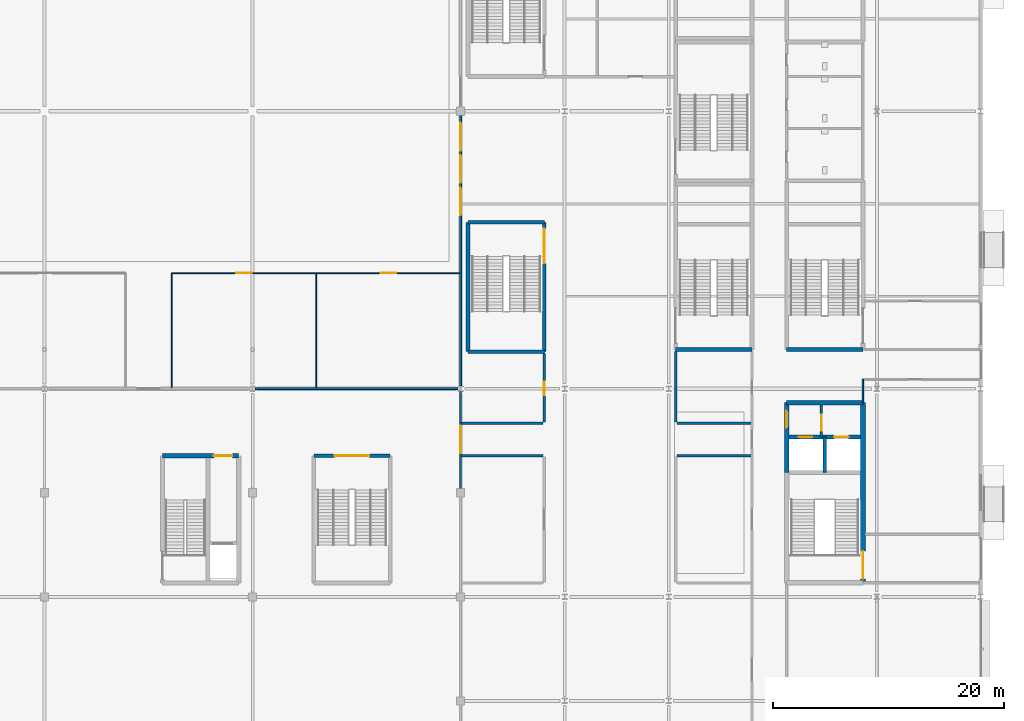
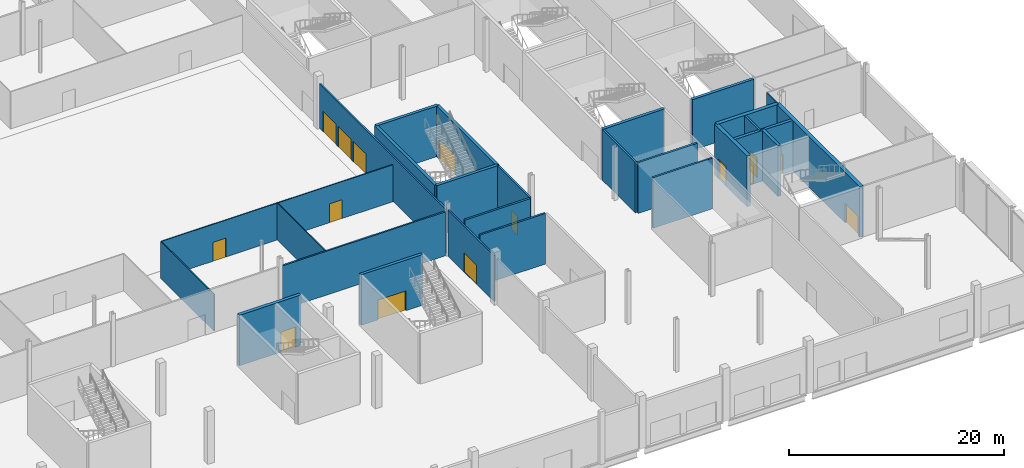
# One storey, part 39 of 84: 28 walls, 15 doors, 15 openings.
"""IFC4 building model written with IfcOpenShell, lengths in metres."""

from ifc_helpers import new_model, si_unit, direction, frame, frame_2d, origin, place, context, subcontext, project, spatial, rectangle, extrude, material, layer, layer_set, type_object, element, fill, save


model = new_model("IFC4")

# Units and contexts
model_context = context("Model", 3, precision=1e-05, world=origin(), true_north=direction((0.0, 1.0)))
body_context = subcontext(model_context, "Body", "Model", "MODEL_VIEW")
ifc_project = project(units=[si_unit("LENGTHUNIT", "METRE"), si_unit("AREAUNIT", "SQUARE_METRE"), si_unit("VOLUMEUNIT", "CUBIC_METRE"), si_unit("PLANEANGLEUNIT", "RADIAN"), si_unit("MASSUNIT", "GRAM", prefix="KILO")], contexts=[model_context])

# Site, building, storey
site_placement = place(None, origin())
site = spatial("IfcSite", under=ifc_project, at=site_placement, CompositionType="ELEMENT")
building_placement = place(site_placement, origin())
building = spatial("IfcBuilding", under=site, at=building_placement, Name="Kisiwana Market Hall", CompositionType="ELEMENT")
storey_placement = place(building_placement, origin())
storey = spatial("IfcBuildingStorey", under=building, at=storey_placement, Name="L00", CompositionType="ELEMENT", Elevation=0.0)

# Walls
ifc_material_1 = material(Name="Steel S275", Category="steel")
ifc_layer_1 = layer(ifc_material_1, 0.010009765625, Name="Food-grade steel inner skin")
ifc_material_2 = material(Name="PIR insulation")
ifc_layer_2 = layer(ifc_material_2, 0.199951171875, Name="High-density PIR thermal core")
ifc_material_3 = material(Name="Steel S275", Category="steel")
ifc_layer_3 = layer(ifc_material_3, 0.010009765625, Name="Food-grade steel outer skin")
ifc_layer_set_1 = layer_set([ifc_layer_1, ifc_layer_2, ifc_layer_3], Name="WL-COLD-220")
wall_type_1 = type_object("IfcWallType", Name="WL-COLD-220", PredefinedType="PARTITIONING", material=ifc_layer_set_1)
wall_1_placement = place(storey_placement, frame((153.0849609375, 33.0, 0.0), z_axis=(0.0, 0.0, 1.0), x_axis=(1.0, 0.0, 0.0)))
element("IfcWall", 1, at=wall_1_placement, inside=storey, type_object=wall_type_1, Name="Interior partition W-0580", PredefinedType="PARTITIONING", context=body_context, shape_type="SweptSolid", body=[
    extrude(rectangle(XDim=7.044921875, YDim=0.219970703125, at=frame_2d((3.5224609375, 0.0))), origin(), (0.0, 0.0, 1.0), 5.75),
])
wall_2_placement = place(storey_placement, frame((171.699951171875, 33.0, 0.0), z_axis=(0.0, 0.0, 1.0), x_axis=(1.0, 0.0, 0.0)))
element("IfcWall", 2, at=wall_2_placement, inside=storey, type_object=wall_type_1, Name="Interior partition W-0581", PredefinedType="PARTITIONING", context=body_context, shape_type="SweptSolid", body=[
    extrude(rectangle(XDim=6.400146484375, YDim=0.219970703125, at=frame_2d((3.2001953125, 0.0))), origin(), (0.0, 0.0, 1.0), 5.75),
])

# Wall, opening, door
ifc_material_4 = material(Name="Masonry blockwork", Category="masonry")
ifc_layer_4 = layer(ifc_material_4, 0.199951171875, Name="Plastered fire compartment block wall")
ifc_layer_set_2 = layer_set([ifc_layer_4], Name="WL-COMP-200")
wall_type_2 = type_object("IfcWallType", Name="WL-COMP-200", PredefinedType="PARTITIONING", material=ifc_layer_set_2)
wall_3_placement = place(storey_placement, frame((184.199951171875, 31.820068359375, 0.0), z_axis=(0.0, 0.0, 1.0), x_axis=(0.0, 1.0, 0.0)))
wall_3 = element("IfcWall", 3, at=wall_3_placement, inside=storey, type_object=wall_type_2, Name="Core E2 firefighting lobby wall W-0531", PredefinedType="PARTITIONING", context=body_context, shape_type="SweptSolid", body=[
    extrude(rectangle(XDim=2.780029296875, YDim=0.199951171875, at=frame_2d((1.39013671875, 0.0))), origin(), (0.0, 0.0, 1.0), 5.75),
])
opening_1_placement = place(wall_3_placement, frame((0.550048828125, 0.0, 0.0)))
opening_1 = element("IfcOpeningElement", 4, at=opening_1_placement, cuts=wall_3, Name="Opening DR-L00-009", PredefinedType="OPENING", context=body_context, shape_type="SweptSolid", body=[
    extrude(rectangle(XDim=1.39990234375, YDim=2.25, at=frame_2d((0.699951171875, 1.125))), frame((0.0, 0.11181640625, 0.0), z_axis=(0.0, -1.0, 0.0), x_axis=(1.0, 0.0, 0.0)), (0.0, 0.0, 1.0), 0.223876953125),
])
ifc_material_5 = material(Name="Steel S275", Category="steel")
door_type_1 = type_object("IfcDoorType", Name="DR-FFLOB-FD120-1400", OperationType="DOUBLE_DOOR_SINGLE_SWING", PredefinedType="DOOR", material=ifc_material_5)
door_1_placement = place(opening_1_placement, origin())
door_1 = element("IfcDoor", 5, at=door_1_placement, inside=storey, type_object=door_type_1, Name="Firefighting Lift Lobby E2 Door (L00)", OperationType="DOUBLE_DOOR_SINGLE_SWING", OverallHeight=2.25, OverallWidth=1.39990234375, PredefinedType="DOOR", context=body_context, shape_type="SweptSolid", body=[
    extrude(rectangle(XDim=1.39990234375, YDim=2.25, at=frame_2d((0.699951171875, 1.125))), frame((0.0, 0.02490234375, 0.0), z_axis=(0.0, -1.0, 0.0), x_axis=(1.0, 0.0, 0.0)), (0.0, 0.0, 1.0), 0.050048828125),
])
fill(opening_1, door_1)

# Walls
wall_4_placement = place(storey_placement, frame((153.0849609375, 30.199951171875, 0.0), z_axis=(0.0, 0.0, 1.0), x_axis=(1.0, 0.0, 0.0)))
element("IfcWall", 6, at=wall_4_placement, inside=storey, type_object=wall_type_2, Name="Interior partition W-0578", PredefinedType="PARTITIONING", context=body_context, shape_type="SweptSolid", body=[
    extrude(rectangle(XDim=7.044921875, YDim=0.199951171875, at=frame_2d((3.5224609375, 0.0))), origin(), (0.0, 0.0, 1.0), 5.75),
])
wall_5_placement = place(storey_placement, frame((171.699951171875, 30.199951171875, 0.0), z_axis=(0.0, 0.0, 1.0), x_axis=(1.0, 0.0, 0.0)))
element("IfcWall", 7, at=wall_5_placement, inside=storey, type_object=wall_type_2, Name="Interior partition W-0579", PredefinedType="PARTITIONING", context=body_context, shape_type="SweptSolid", body=[
    extrude(rectangle(XDim=6.400146484375, YDim=0.199951171875, at=frame_2d((3.2001953125, 0.0))), origin(), (0.0, 0.0, 1.0), 5.75),
])

# Wall, opening, door
wall_6_placement = place(storey_placement, frame((160.22998046875, 33.10009765625, 0.0), z_axis=(0.0, 0.0, 1.0), x_axis=(0.0, 1.0, 0.0)))
wall_6 = element("IfcWall", 8, at=wall_6_placement, inside=storey, type_object=wall_type_2, Name="Interior partition W-0659", PredefinedType="PARTITIONING", context=body_context, shape_type="SweptSolid", body=[
    extrude(rectangle(XDim=5.93994140625, YDim=0.199951171875, at=frame_2d((2.969970703125, 0.0))), origin(), (0.0, 0.0, 1.0), 5.75),
])
opening_2_placement = place(wall_6_placement, frame((2.35009765625, 0.0, 0.0)))
opening_2 = element("IfcOpeningElement", 9, at=opening_2_placement, cuts=wall_6, Name="Opening DR-L00-111", PredefinedType="OPENING", context=body_context, shape_type="SweptSolid", body=[
    extrude(rectangle(XDim=1.14990234375, YDim=2.14990234375, at=frame_2d((0.574951171875, 1.074951171875))), frame((0.0, 0.11181640625, 0.0), z_axis=(0.0, -1.0, 0.0), x_axis=(1.0, 0.0, 0.0)), (0.0, 0.0, 1.0), 0.223876953125),
])
ifc_material_6 = material(Name="Aluminium alloy 6063-T6", Category="aluminium")
door_type_2 = type_object("IfcDoorType", Name="DR-MEET-1150", OperationType="NOTDEFINED", PredefinedType="DOOR", material=ifc_material_6)
door_2_placement = place(opening_2_placement, origin())
door_2 = element("IfcDoor", 10, at=door_2_placement, inside=storey, type_object=door_type_2, Name="L00 E Cold-Chain Marshalling Hall Door", OperationType="SINGLE_SWING_LEFT", OverallHeight=2.14990234375, OverallWidth=1.14990234375, PredefinedType="DOOR", context=body_context, shape_type="SweptSolid", body=[
    extrude(rectangle(XDim=1.14990234375, YDim=2.14990234375, at=frame_2d((0.574951171875, 1.074951171875))), frame((0.0, 0.02490234375, 0.0), z_axis=(0.0, -1.0, 0.0), x_axis=(1.0, 0.0, 0.0)), (0.0, 0.0, 1.0), 0.050048828125),
])
fill(opening_2, door_2)

# Walls
wall_7_placement = place(storey_placement, frame((171.60009765625, 33.10009765625, 0.0), z_axis=(0.0, 0.0, 1.0), x_axis=(0.0, 1.0, 0.0)))
element("IfcWall", 11, at=wall_7_placement, inside=storey, type_object=wall_type_2, Name="Interior partition W-0661", PredefinedType="PARTITIONING", context=body_context, shape_type="SweptSolid", body=[
    extrude(rectangle(XDim=6.139892578125, YDim=0.199951171875, at=frame_2d((3.06982421875, 0.0))), origin(), (0.0, 0.0, 1.0), 5.75),
])
ifc_material_7 = material(Name="Concrete C40/50", Category="concrete")
ifc_layer_5 = layer(ifc_material_7, 0.320068359375, Name="Reinforced concrete shaft wall")
ifc_layer_set_3 = layer_set([ifc_layer_5], Name="WL-CORE-320")
wall_type_3 = type_object("IfcWallType", Name="WL-CORE-320", PredefinedType="SHEAR", material=ifc_layer_set_3)
wall_8_placement = place(storey_placement, frame((184.5, 28.760009765625, 0.0), z_axis=(0.0, 0.0, 1.0), x_axis=(0.0, 1.0, 0.0)))
element("IfcWall", 12, at=wall_8_placement, inside=storey, type_object=wall_type_3, Name="Core E2 inter-shaft shear wall W-0359", PredefinedType="SHEAR", context=body_context, shape_type="SweptSolid", body=[
    extrude(rectangle(XDim=3.06005859375, YDim=0.320068359375, at=frame_2d((1.530029296875, 0.0))), origin(), (0.0, 0.0, 1.0), 5.75),
])

# Wall, opening, door
wall_9_placement = place(storey_placement, frame((181.39990234375, 31.820068359375, 0.0), z_axis=(0.0, 0.0, 1.0), x_axis=(1.0, 0.0, 0.0)))
wall_9 = element("IfcWall", 13, at=wall_9_placement, inside=storey, type_object=wall_type_3, Name="Core E2 west lift front wall W-0360", PredefinedType="SHEAR", context=body_context, shape_type="SweptSolid", body=[
    extrude(rectangle(XDim=3.10009765625, YDim=0.320068359375, at=frame_2d((1.550048828125, 0.0))), origin(), (0.0, 0.0, 1.0), 5.75),
])
opening_3_placement = place(wall_9_placement, frame((0.85009765625, 0.0, 0.0)))
opening_3 = element("IfcOpeningElement", 14, at=opening_3_placement, cuts=wall_9, Name="Opening LD-L00-005", PredefinedType="OPENING", context=body_context, shape_type="SweptSolid", body=[
    extrude(rectangle(XDim=1.14990234375, YDim=2.199951171875, at=frame_2d((0.574951171875, 1.10009765625))), frame((0.0, 0.171875, 0.0), z_axis=(0.0, -1.0, 0.0), x_axis=(1.0, 0.0, 0.0)), (0.0, 0.0, 1.0), 0.343994140625),
])
ifc_material_8 = material(Name="Steel S275", Category="steel")
door_type_3 = type_object("IfcDoorType", Name="DR-LIFT-PAX-1150", OperationType="DOUBLE_DOOR_SLIDING", PredefinedType="DOOR", material=ifc_material_8)
door_3_placement = place(opening_3_placement, origin())
door_3 = element("IfcDoor", 15, at=door_3_placement, inside=storey, type_object=door_type_3, Name="Lift Landing Door LP-03 (L00)", OperationType="DOUBLE_DOOR_SLIDING", OverallHeight=2.199951171875, OverallWidth=1.14990234375, PredefinedType="DOOR", context=body_context, shape_type="SweptSolid", body=[
    extrude(rectangle(XDim=1.14990234375, YDim=2.199951171875, at=frame_2d((0.574951171875, 1.10009765625))), frame((0.0, 0.02490234375, 0.0), z_axis=(0.0, -1.0, 0.0), x_axis=(1.0, 0.0, 0.0)), (0.0, 0.0, 1.0), 0.050048828125),
])
fill(opening_3, door_3)

wall_10_placement = place(storey_placement, frame((184.5, 31.820068359375, 0.0), z_axis=(0.0, 0.0, 1.0), x_axis=(1.0, 0.0, 0.0)))
wall_10 = element("IfcWall", 16, at=wall_10_placement, inside=storey, type_object=wall_type_3, Name="Core E2 east lift front wall W-0361", PredefinedType="SHEAR", context=body_context, shape_type="SweptSolid", body=[
    extrude(rectangle(XDim=3.10009765625, YDim=0.320068359375, at=frame_2d((1.550048828125, 0.0))), origin(), (0.0, 0.0, 1.0), 5.75),
])
opening_4_placement = place(wall_10_placement, frame((0.800048828125, 0.0, 0.0)))
opening_4 = element("IfcOpeningElement", 17, at=opening_4_placement, cuts=wall_10, Name="Opening LD-L00-006", PredefinedType="OPENING", context=body_context, shape_type="SweptSolid", body=[
    extrude(rectangle(XDim=1.25, YDim=2.25, at=frame_2d((0.625, 1.125))), frame((0.0, 0.171875, 0.0), z_axis=(0.0, -1.0, 0.0), x_axis=(1.0, 0.0, 0.0)), (0.0, 0.0, 1.0), 0.343994140625),
])
ifc_material_9 = material(Name="Steel S275", Category="steel")
door_type_4 = type_object("IfcDoorType", Name="DR-LIFT-FFL-1250", OperationType="DOUBLE_DOOR_SLIDING", PredefinedType="DOOR", material=ifc_material_9)
door_4_placement = place(opening_4_placement, origin())
door_4 = element("IfcDoor", 18, at=door_4_placement, inside=storey, type_object=door_type_4, Name="Lift Landing Door FFL-03 (L00)", OperationType="DOUBLE_DOOR_SLIDING", OverallHeight=2.25, OverallWidth=1.25, PredefinedType="DOOR", context=body_context, shape_type="SweptSolid", body=[
    extrude(rectangle(XDim=1.25, YDim=2.25, at=frame_2d((0.625, 1.125))), frame((0.0, 0.02490234375, 0.0), z_axis=(0.0, -1.0, 0.0), x_axis=(1.0, 0.0, 0.0)), (0.0, 0.0, 1.0), 0.050048828125),
])
fill(opening_4, door_4)

# Walls
wall_11_placement = place(storey_placement, frame((181.199951171875, 39.39990234375, 0.0), z_axis=(0.0, 0.0, 1.0), x_axis=(1.0, 0.0, 0.0)))
element("IfcWall", 19, at=wall_11_placement, inside=storey, type_object=wall_type_3, Name="Core E3 south shear wall W-0403", PredefinedType="SHEAR", context=body_context, shape_type="SweptSolid", body=[
    extrude(rectangle(XDim=6.60009765625, YDim=0.320068359375, at=frame_2d((3.300048828125, 0.0))), origin(), (0.0, 0.0, 1.0), 5.75),
])
wall_12_placement = place(storey_placement, frame((171.60009765625, 39.39990234375, 0.0), z_axis=(0.0, 0.0, 1.0), x_axis=(1.0, 0.0, 0.0)))
element("IfcWall", 20, at=wall_12_placement, inside=storey, type_object=wall_type_3, Name="Core E7 south shear wall W-0418", PredefinedType="SHEAR", context=body_context, shape_type="SweptSolid", body=[
    extrude(rectangle(XDim=6.599853515625, YDim=0.320068359375, at=frame_2d((3.2998046875, 0.0))), origin(), (0.0, 0.0, 1.0), 5.75),
])
for number, where, z_axis, x_axis, name in (
    (21, (153.6298828125, 39.199951171875, 0.0), (0.0, 0.0, 1.0), (1.0, 0.0, 0.0), "Core E9 south shear wall W-0437"),
    (22, (153.6298828125, 50.39990234375, 0.0), (0.0, 0.0, 1.0), (1.0, 0.0, 0.0), "Core E9 north shear wall W-0438"),
):
    element("IfcWall", number, at=place(storey_placement, frame(where, z_axis=z_axis, x_axis=x_axis)), inside=storey, type_object=wall_type_3, Name=name, PredefinedType="SHEAR", context=body_context, shape_type="SweptSolid", body=[
        extrude(rectangle(XDim=6.60009765625, YDim=0.320068359375, at=frame_2d((3.300048828125, 0.0))), origin(), (0.0, 0.0, 1.0), 5.75),
    ])
wall_13_placement = place(storey_placement, frame((153.6298828125, 39.199951171875, 0.0), z_axis=(0.0, 0.0, 1.0), x_axis=(0.0, 1.0, 0.0)))
element("IfcWall", 23, at=wall_13_placement, inside=storey, type_object=wall_type_3, Name="Core E9 outer shear wall W-0439", PredefinedType="SHEAR", context=body_context, shape_type="SweptSolid", body=[
    extrude(rectangle(XDim=11.199951171875, YDim=0.320068359375, at=frame_2d((5.60009765625, 0.0))), origin(), (0.0, 0.0, 1.0), 5.75),
])

# Wall, opening, door
wall_14_placement = place(storey_placement, frame((160.22998046875, 39.199951171875, 0.0), z_axis=(0.0, 0.0, 1.0), x_axis=(0.0, 1.0, 0.0)))
wall_14 = element("IfcWall", 24, at=wall_14_placement, inside=storey, type_object=wall_type_3, Name="Core E9 corridor shear wall W-0440", PredefinedType="SHEAR", context=body_context, shape_type="SweptSolid", body=[
    extrude(rectangle(XDim=11.199951171875, YDim=0.320068359375, at=frame_2d((5.60009765625, 0.0))), origin(), (0.0, 0.0, 1.0), 5.75),
])
opening_5_placement = place(wall_14_placement, frame((7.64990234375, 0.0, 0.0)))
opening_5 = element("IfcOpeningElement", 25, at=opening_5_placement, cuts=wall_14, Name="Opening DR-L00-028", PredefinedType="OPENING", context=body_context, shape_type="SweptSolid", body=[
    extrude(rectangle(XDim=3.0, YDim=2.25, at=frame_2d((1.5, 1.125))), frame((0.0, 0.171875, 0.0), z_axis=(0.0, -1.0, 0.0), x_axis=(1.0, 0.0, 0.0)), (0.0, 0.0, 1.0), 0.343994140625),
])
ifc_material_10 = material(Name="Steel S275", Category="steel")
door_type_5 = type_object("IfcDoorType", Name="DR-STAIR-FD120-3000", OperationType="DOUBLE_DOOR_SINGLE_SWING", PredefinedType="DOOR", material=ifc_material_10)
door_5_placement = place(opening_5_placement, frame((3.0, 0.0, 0.0), z_axis=(0.0, 0.0, 1.0), x_axis=(-1.0, 0.0, 0.0)))
door_5 = element("IfcDoor", 26, at=door_5_placement, inside=storey, type_object=door_type_5, Name="Escape Stair E9 Fire Door (L00)", OperationType="DOUBLE_DOOR_SINGLE_SWING", OverallHeight=2.25, OverallWidth=3.0, PredefinedType="DOOR", context=body_context, shape_type="SweptSolid", body=[
    extrude(rectangle(XDim=3.0, YDim=2.25, at=frame_2d((1.5, 1.125))), frame((0.0, 0.02490234375, 0.0), z_axis=(0.0, -1.0, 0.0), x_axis=(1.0, 0.0, 0.0)), (0.0, 0.0, 1.0), 0.050048828125),
])
fill(opening_5, door_5)

wall_15_placement = place(storey_placement, frame((140.300048828125, 30.199951171875, 0.0), z_axis=(0.0, 0.0, 1.0), x_axis=(1.0, 0.0, 0.0)))
wall_15 = element("IfcWall", 27, at=wall_15_placement, inside=storey, type_object=wall_type_3, Name="Core S6 corridor shear wall W-0482", PredefinedType="SHEAR", context=body_context, shape_type="SweptSolid", body=[
    extrude(rectangle(XDim=6.599853515625, YDim=0.320068359375, at=frame_2d((3.2998046875, 0.0))), origin(), (0.0, 0.0, 1.0), 5.75),
])
opening_6_placement = place(wall_15_placement, frame((1.800048828125, 0.0, 0.0)))
opening_6 = element("IfcOpeningElement", 28, at=opening_6_placement, cuts=wall_15, Name="Opening DR-L00-039", PredefinedType="OPENING", context=body_context, shape_type="SweptSolid", body=[
    extrude(rectangle(XDim=3.0, YDim=2.25, at=frame_2d((1.5, 1.125))), frame((0.0, 0.171875, 0.0), z_axis=(0.0, -1.0, 0.0), x_axis=(1.0, 0.0, 0.0)), (0.0, 0.0, 1.0), 0.343994140625),
])
door_6_placement = place(opening_6_placement, origin())
door_6 = element("IfcDoor", 29, at=door_6_placement, inside=storey, type_object=door_type_5, Name="Escape Stair S6 Fire Door (L00)", OperationType="DOUBLE_DOOR_SINGLE_SWING", OverallHeight=2.25, OverallWidth=3.0, PredefinedType="DOOR", context=body_context, shape_type="SweptSolid", body=[
    extrude(rectangle(XDim=3.0, YDim=2.25, at=frame_2d((1.5, 1.125))), frame((0.0, 0.02490234375, 0.0), z_axis=(0.0, -1.0, 0.0), x_axis=(1.0, 0.0, 0.0)), (0.0, 0.0, 1.0), 0.050048828125),
])
fill(opening_6, door_6)

ifc_material_11 = material(Name="Concrete C40/50", Category="concrete")
ifc_layer_6 = layer(ifc_material_11, 0.360107421875, Name="Reinforced concrete core wall")
ifc_layer_set_4 = layer_set([ifc_layer_6], Name="WL-CORE-360")
wall_type_4 = type_object("IfcWallType", Name="WL-CORE-360", PredefinedType="SHEAR", material=ifc_layer_set_4)
wall_16_placement = place(storey_placement, frame((127.199951171875, 30.199951171875, 0.0), z_axis=(0.0, 0.0, 1.0), x_axis=(1.0, 0.0, 0.0)))
wall_16 = element("IfcWall", 30, at=wall_16_placement, inside=storey, type_object=wall_type_4, Name="Core S2 north wall W-0377", PredefinedType="SHEAR", context=body_context, shape_type="SweptSolid", body=[
    extrude(rectangle(XDim=6.60009765625, YDim=0.360107421875, at=frame_2d((3.300048828125, 0.0))), origin(), (0.0, 0.0, 1.0), 5.75),
])
opening_7_placement = place(wall_16_placement, frame((4.449951171875, 0.0, 0.0)))
opening_7 = element("IfcOpeningElement", 31, at=opening_7_placement, cuts=wall_16, Name="Opening DR-L00-015", PredefinedType="OPENING", context=body_context, shape_type="SweptSolid", body=[
    extrude(rectangle(XDim=1.60009765625, YDim=2.300048828125, at=frame_2d((0.800048828125, 1.14990234375))), frame((0.0, 0.19189453125, 0.0), z_axis=(0.0, -1.0, 0.0), x_axis=(1.0, 0.0, 0.0)), (0.0, 0.0, 1.0), 0.384033203125),
])
ifc_material_12 = material(Name="Steel S275", Category="steel")
door_type_6 = type_object("IfcDoorType", Name="DR-PLANT-FD120-1600", OperationType="DOUBLE_DOOR_SINGLE_SWING", PredefinedType="DOOR", material=ifc_material_12)
door_7_placement = place(opening_7_placement, origin())
door_7 = element("IfcDoor", 32, at=door_7_placement, inside=storey, type_object=door_type_6, Name="Goods Lift Lobby S2 Door (L00)", OperationType="DOUBLE_DOOR_SINGLE_SWING", OverallHeight=2.300048828125, OverallWidth=1.60009765625, PredefinedType="DOOR", context=body_context, shape_type="SweptSolid", body=[
    extrude(rectangle(XDim=1.60009765625, YDim=2.300048828125, at=frame_2d((0.800048828125, 1.14990234375))), frame((0.0, 0.02490234375, 0.0), z_axis=(0.0, -1.0, 0.0), x_axis=(1.0, 0.0, 0.0)), (0.0, 0.0, 1.0), 0.050048828125),
])
fill(opening_7, door_7)

# Wall
ifc_material_13 = material(Name="Concrete C40/50", Category="concrete")
ifc_layer_7 = layer(ifc_material_13, 0.39990234375, Name="Reinforced concrete core wall")
ifc_layer_set_5 = layer_set([ifc_layer_7], Name="WL-CORE-400")
wall_type_5 = type_object("IfcWallType", Name="WL-CORE-400", PredefinedType="SHEAR", material=ifc_layer_set_5)
wall_17_placement = place(storey_placement, frame((181.199951171875, 34.800048828125, 0.0), z_axis=(0.0, 0.0, 1.0), x_axis=(1.0, 0.0, 0.0)))
element("IfcWall", 33, at=wall_17_placement, inside=storey, type_object=wall_type_5, Name="Core E2 north shear wall W-0354", PredefinedType="SHEAR", context=body_context, shape_type="SweptSolid", body=[
    extrude(rectangle(XDim=6.60009765625, YDim=0.39990234375, at=frame_2d((3.300048828125, 0.0))), origin(), (0.0, 0.0, 1.0), 5.75),
])

# Wall, opening, door
wall_18_placement = place(storey_placement, frame((187.800048828125, 19.199951171875, 0.0), z_axis=(0.0, 0.0, 1.0), x_axis=(0.0, 1.0, 0.0)))
wall_18 = element("IfcWall", 34, at=wall_18_placement, inside=storey, type_object=wall_type_5, Name="Core E2 outer shear wall W-0355", PredefinedType="SHEAR", context=body_context, shape_type="SweptSolid", body=[
    extrude(rectangle(XDim=15.60009765625, YDim=0.39990234375, at=frame_2d((7.800048828125, 0.0))), origin(), (0.0, 0.0, 1.0), 5.75),
])
opening_8_placement = place(wall_18_placement, frame((0.35009765625, 0.0, 0.0)))
opening_8 = element("IfcOpeningElement", 35, at=opening_8_placement, cuts=wall_18, Name="Opening DR-L00-007", PredefinedType="OPENING", context=body_context, shape_type="SweptSolid", body=[
    extrude(rectangle(XDim=2.39990234375, YDim=2.25, at=frame_2d((1.199951171875, 1.125))), frame((0.0, 0.2119140625, 0.0), z_axis=(0.0, -1.0, 0.0), x_axis=(1.0, 0.0, 0.0)), (0.0, 0.0, 1.0), 0.423828125),
])
ifc_material_14 = material(Name="Steel S275", Category="steel")
door_type_7 = type_object("IfcDoorType", Name="DR-STAIR-FD120-2400", OperationType="DOUBLE_DOOR_SINGLE_SWING", PredefinedType="DOOR", material=ifc_material_14)
door_8_placement = place(opening_8_placement, frame((2.39990234375, 0.0, 0.0), z_axis=(0.0, 0.0, 1.0), x_axis=(-1.0, 0.0, 0.0)))
door_8 = element("IfcDoor", 36, at=door_8_placement, inside=storey, type_object=door_type_7, Name="Escape Stair E2 Fire Door (L00)", OperationType="DOUBLE_DOOR_SINGLE_SWING", OverallHeight=2.25, OverallWidth=2.39990234375, PredefinedType="DOOR", context=body_context, shape_type="SweptSolid", body=[
    extrude(rectangle(XDim=2.39990234375, YDim=2.25, at=frame_2d((1.199951171875, 1.125))), frame((0.0, 0.02490234375, 0.0), z_axis=(0.0, -1.0, 0.0), x_axis=(1.0, 0.0, 0.0)), (0.0, 0.0, 1.0), 0.050048828125),
])
fill(opening_8, door_8)

wall_19_placement = place(storey_placement, frame((181.199951171875, 28.760009765625, 0.0), z_axis=(0.0, 0.0, 1.0), x_axis=(0.0, 1.0, 0.0)))
wall_19 = element("IfcWall", 37, at=wall_19_placement, inside=storey, type_object=wall_type_5, Name="Core E2 lobby corridor shear wall W-0357", PredefinedType="SHEAR", context=body_context, shape_type="SweptSolid", body=[
    extrude(rectangle(XDim=6.0400390625, YDim=0.39990234375, at=frame_2d((3.02001953125, 0.0))), origin(), (0.0, 0.0, 1.0), 5.75),
])
opening_9_placement = place(wall_19_placement, frame((3.85009765625, 0.0, 0.0)))
opening_9 = element("IfcOpeningElement", 38, at=opening_9_placement, cuts=wall_19, Name="Opening DR-L00-008", PredefinedType="OPENING", context=body_context, shape_type="SweptSolid", body=[
    extrude(rectangle(XDim=1.5, YDim=2.199951171875, at=frame_2d((0.75, 1.10009765625))), frame((0.0, 0.2119140625, 0.0), z_axis=(0.0, -1.0, 0.0), x_axis=(1.0, 0.0, 0.0)), (0.0, 0.0, 1.0), 0.423828125),
])
ifc_material_15 = material(Name="Steel S275", Category="steel")
door_type_8 = type_object("IfcDoorType", Name="DR-CORR-FD60-1500", OperationType="DOUBLE_DOOR_SINGLE_SWING", PredefinedType="DOOR", material=ifc_material_15)
door_9_placement = place(opening_9_placement, origin())
door_9 = element("IfcDoor", 39, at=door_9_placement, inside=storey, type_object=door_type_8, Name="Passenger Lift Lobby E2 Smoke Door (L00)", OperationType="DOUBLE_DOOR_SINGLE_SWING", OverallHeight=2.199951171875, OverallWidth=1.5, PredefinedType="DOOR", context=body_context, shape_type="SweptSolid", body=[
    extrude(rectangle(XDim=1.5, YDim=2.199951171875, at=frame_2d((0.75, 1.10009765625))), frame((0.0, 0.02490234375, 0.0), z_axis=(0.0, -1.0, 0.0), x_axis=(1.0, 0.0, 0.0)), (0.0, 0.0, 1.0), 0.050048828125),
])
fill(opening_9, door_9)

ifc_material_16 = material(Name="Masonry blockwork", Category="masonry")
ifc_layer_8 = layer(ifc_material_16, 0.169921875, Name="Protected corridor partition")
ifc_layer_set_6 = layer_set([ifc_layer_8], Name="WL-CORR-170")
wall_type_6 = type_object("IfcWallType", Name="WL-CORR-170", PredefinedType="PARTITIONING", material=ifc_layer_set_6)
wall_20_placement = place(storey_placement, frame((153.0, 27.219970703125, 0.0), z_axis=(0.0, 0.0, 1.0), x_axis=(0.0, 1.0, 0.0)))
wall_20 = element("IfcWall", 40, at=wall_20_placement, inside=storey, type_object=wall_type_6, Name="Interior partition W-0591", PredefinedType="PARTITIONING", context=body_context, shape_type="SweptSolid", body=[
    extrude(rectangle(XDim=8.56005859375, YDim=0.169921875, at=frame_2d((4.280029296875, 0.0))), origin(), (0.0, 0.0, 1.0), 5.216796875),
])
opening_10_placement = place(wall_20_placement, frame((3.179931640625, 0.0, 0.0)))
opening_10 = element("IfcOpeningElement", 41, at=opening_10_placement, cuts=wall_20, Name="Opening DR-L00-073", PredefinedType="OPENING", context=body_context, shape_type="SweptSolid", body=[
    extrude(rectangle(XDim=2.39990234375, YDim=2.199951171875, at=frame_2d((1.199951171875, 1.10009765625))), frame((0.0, 0.096923828125, 0.0), z_axis=(0.0, -1.0, 0.0), x_axis=(1.0, 0.0, 0.0)), (0.0, 0.0, 1.0), 0.19384765625),
])
ifc_material_17 = material(Name="Steel S275", Category="steel")
door_type_9 = type_object("IfcDoorType", Name="DR-CORR-FD60-2400", OperationType="DOUBLE_DOOR_SINGLE_SWING", PredefinedType="DOOR", material=ifc_material_17)
door_10_placement = place(opening_10_placement, origin())
door_10 = element("IfcDoor", 42, at=door_10_placement, inside=storey, type_object=door_type_9, Name="L00 E South Spine Link Door", OperationType="DOUBLE_DOOR_SINGLE_SWING", OverallHeight=2.199951171875, OverallWidth=2.39990234375, PredefinedType="DOOR", context=body_context, shape_type="SweptSolid", body=[
    extrude(rectangle(XDim=2.39990234375, YDim=2.199951171875, at=frame_2d((1.199951171875, 1.10009765625))), frame((0.0, 0.02490234375, 0.0), z_axis=(0.0, -1.0, 0.0), x_axis=(1.0, 0.0, 0.0)), (0.0, 0.0, 1.0), 0.050048828125),
])
fill(opening_10, door_10)

# Wall, openings, doors
wall_21_placement = place(storey_placement, frame((153.0, 36.219970703125, 0.0), z_axis=(0.0, 0.0, 1.0), x_axis=(0.0, 1.0, 0.0)))
wall_21 = element("IfcWall", 43, at=wall_21_placement, inside=storey, type_object=wall_type_6, Name="Interior partition W-0592", PredefinedType="PARTITIONING", context=body_context, shape_type="SweptSolid", body=[
    extrude(rectangle(XDim=23.56005859375, YDim=0.169921875, at=frame_2d((11.780029296875, 0.0))), origin(), (0.0, 0.0, 1.0), 5.06640625),
])
opening_11_placement = place(wall_21_placement, frame((14.780029296875, 0.0, 0.0)))
opening_11 = element("IfcOpeningElement", 44, at=opening_11_placement, cuts=wall_21, Name="Opening DR-L00-074", PredefinedType="OPENING", context=body_context, shape_type="SweptSolid", body=[
    extrude(rectangle(XDim=2.39990234375, YDim=2.35009765625, at=frame_2d((1.199951171875, 1.175048828125))), frame((0.0, 0.096923828125, 0.0), z_axis=(0.0, -1.0, 0.0), x_axis=(1.0, 0.0, 0.0)), (0.0, 0.0, 1.0), 0.19384765625),
])
opening_12_placement = place(wall_21_placement, frame((17.580078125, 0.0, 0.0)))
opening_12 = element("IfcOpeningElement", 45, at=opening_12_placement, cuts=wall_21, Name="Opening DR-L00-075", PredefinedType="OPENING", context=body_context, shape_type="SweptSolid", body=[
    extrude(rectangle(XDim=2.39990234375, YDim=2.35009765625, at=frame_2d((1.199951171875, 1.175048828125))), frame((0.0, 0.096923828125, 0.0), z_axis=(0.0, -1.0, 0.0), x_axis=(1.0, 0.0, 0.0)), (0.0, 0.0, 1.0), 0.19384765625),
])
opening_13_placement = place(wall_21_placement, frame((20.3798828125, 0.0, 0.0)))
opening_13 = element("IfcOpeningElement", 46, at=opening_13_placement, cuts=wall_21, Name="Opening DR-L00-076", PredefinedType="OPENING", context=body_context, shape_type="SweptSolid", body=[
    extrude(rectangle(XDim=2.39990234375, YDim=2.35009765625, at=frame_2d((1.199951171875, 1.175048828125))), frame((0.0, 0.096923828125, 0.0), z_axis=(0.0, -1.0, 0.0), x_axis=(1.0, 0.0, 0.0)), (0.0, 0.0, 1.0), 0.19384765625),
])
ifc_material_18 = material(Name="Steel S275", Category="steel")
door_type_10 = type_object("IfcDoorType", Name="DR-HALL-2400", OperationType="DOUBLE_DOOR_SINGLE_SWING", PredefinedType="DOOR", material=ifc_material_18)
door_11_placement = place(opening_11_placement, origin())
door_11 = element("IfcDoor", 47, at=door_11_placement, inside=storey, type_object=door_type_10, Name="L00 E East Market Concourse Hall Door 1", OperationType="DOUBLE_DOOR_SINGLE_SWING", OverallHeight=2.35009765625, OverallWidth=2.39990234375, PredefinedType="DOOR", context=body_context, shape_type="SweptSolid", body=[
    extrude(rectangle(XDim=2.39990234375, YDim=2.35009765625, at=frame_2d((1.199951171875, 1.175048828125))), frame((0.0, 0.02490234375, 0.0), z_axis=(0.0, -1.0, 0.0), x_axis=(1.0, 0.0, 0.0)), (0.0, 0.0, 1.0), 0.050048828125),
])
fill(opening_11, door_11)
door_12_placement = place(opening_12_placement, origin())
door_12 = element("IfcDoor", 48, at=door_12_placement, inside=storey, type_object=door_type_10, Name="L00 E East Market Concourse Hall Door 2", OperationType="DOUBLE_DOOR_SINGLE_SWING", OverallHeight=2.35009765625, OverallWidth=2.39990234375, PredefinedType="DOOR", context=body_context, shape_type="SweptSolid", body=[
    extrude(rectangle(XDim=2.39990234375, YDim=2.35009765625, at=frame_2d((1.199951171875, 1.175048828125))), frame((0.0, 0.02490234375, 0.0), z_axis=(0.0, -1.0, 0.0), x_axis=(1.0, 0.0, 0.0)), (0.0, 0.0, 1.0), 0.050048828125),
])
fill(opening_12, door_12)
door_13_placement = place(opening_13_placement, origin())
door_13 = element("IfcDoor", 49, at=door_13_placement, inside=storey, type_object=door_type_10, Name="L00 E East Market Concourse Hall Door 3", OperationType="DOUBLE_DOOR_SINGLE_SWING", OverallHeight=2.35009765625, OverallWidth=2.39990234375, PredefinedType="DOOR", context=body_context, shape_type="SweptSolid", body=[
    extrude(rectangle(XDim=2.39990234375, YDim=2.35009765625, at=frame_2d((1.199951171875, 1.175048828125))), frame((0.0, 0.02490234375, 0.0), z_axis=(0.0, -1.0, 0.0), x_axis=(1.0, 0.0, 0.0)), (0.0, 0.0, 1.0), 0.050048828125),
])
fill(opening_13, door_13)

# Walls
wall_22_placement = place(storey_placement, frame((135.25, 36.0, 0.0), z_axis=(0.0, 0.0, 1.0), x_axis=(1.0, 0.0, 0.0)))
element("IfcWall", 50, at=wall_22_placement, inside=storey, type_object=wall_type_6, Name="Interior partition W-0639", PredefinedType="PARTITIONING", context=body_context, shape_type="SweptSolid", body=[
    extrude(rectangle(XDim=17.5, YDim=0.169921875, at=frame_2d((8.75, 0.0))), origin(), (0.0, 0.0, 1.0), 4.98779296875),
])
ifc_material_19 = material(Name="Gypsum plasterboard")
ifc_layer_9 = layer(ifc_material_19, 0.125, Name="Double gypsum board + acoustic stud")
ifc_layer_set_7 = layer_set([ifc_layer_9], Name="WL-OFF-125")
wall_type_7 = type_object("IfcWallType", Name="WL-OFF-125", PredefinedType="PARTITIONING", material=ifc_layer_set_7)
wall_23_placement = place(storey_placement, frame((187.800048828125, 34.800048828125, 0.0), z_axis=(0.0, 0.0, 1.0), x_axis=(0.0, 1.0, 0.0)))
element("IfcWall", 51, at=wall_23_placement, inside=storey, type_object=wall_type_7, Name="Interior partition W-0566", PredefinedType="PARTITIONING", context=body_context, shape_type="SweptSolid", body=[
    extrude(rectangle(XDim=2.0, YDim=0.125, at=frame_2d((1.0, 0.0))), origin(), (0.0, 0.0, 1.0), 5.75),
])
ifc_material_20 = material(Name="Masonry blockwork", Category="masonry")
ifc_layer_10 = layer(ifc_material_20, 0.10009765625, Name="Tiled stall dwarf/full partition")
ifc_layer_set_8 = layer_set([ifc_layer_10], Name="WL-STALL-100")
wall_type_8 = type_object("IfcWallType", Name="WL-STALL-100", PredefinedType="PARTITIONING", material=ifc_layer_set_8)
wall_24_placement = place(storey_placement, frame((128.0, 36.0849609375, 0.0), z_axis=(0.0, 0.0, 1.0), x_axis=(0.0, 1.0, 0.0)))
element("IfcWall", 52, at=wall_24_placement, inside=storey, type_object=wall_type_8, Name="Interior partition W-0619", PredefinedType="PARTITIONING", context=body_context, shape_type="SweptSolid", body=[
    extrude(rectangle(XDim=9.9150390625, YDim=0.10009765625, at=frame_2d((4.95751953125, 0.0))), origin(), (0.0, 0.0, 1.0), 4.199951171875),
])
wall_25_placement = place(storey_placement, frame((140.5, 36.0849609375, 0.0), z_axis=(0.0, 0.0, 1.0), x_axis=(0.0, 1.0, 0.0)))
element("IfcWall", 53, at=wall_25_placement, inside=storey, type_object=wall_type_8, Name="Interior partition W-0621", PredefinedType="PARTITIONING", context=body_context, shape_type="SweptSolid", body=[
    extrude(rectangle(XDim=9.864990234375, YDim=0.10009765625, at=frame_2d((4.9326171875, 0.0))), origin(), (0.0, 0.0, 1.0), 4.199951171875),
])

# Wall, openings, doors
wall_26_placement = place(storey_placement, frame((128.0, 46.0, 0.0), z_axis=(0.0, 0.0, 1.0), x_axis=(1.0, 0.0, 0.0)))
wall_26 = element("IfcWall", 54, at=wall_26_placement, inside=storey, type_object=wall_type_8, Name="Interior partition W-0623", PredefinedType="PARTITIONING", context=body_context, shape_type="SweptSolid", body=[
    extrude(rectangle(XDim=24.9150390625, YDim=0.10009765625, at=frame_2d((12.45751953125, 0.0))), origin(), (0.0, 0.0, 1.0), 4.199951171875),
])
opening_14_placement = place(wall_26_placement, frame((5.574951171875, 0.0, 0.0)))
opening_14 = element("IfcOpeningElement", 55, at=opening_14_placement, cuts=wall_26, Name="Opening DR-L00-091", PredefinedType="OPENING", context=body_context, shape_type="SweptSolid", body=[
    extrude(rectangle(XDim=1.35009765625, YDim=2.14990234375, at=frame_2d((0.675048828125, 1.074951171875))), frame((0.0, 0.06201171875, 0.0), z_axis=(0.0, -1.0, 0.0), x_axis=(1.0, 0.0, 0.0)), (0.0, 0.0, 1.0), 0.1240234375),
])
opening_15_placement = place(wall_26_placement, frame((18.074951171875, 0.0, 0.0)))
opening_15 = element("IfcOpeningElement", 56, at=opening_15_placement, cuts=wall_26, Name="Opening DR-L00-092", PredefinedType="OPENING", context=body_context, shape_type="SweptSolid", body=[
    extrude(rectangle(XDim=1.35009765625, YDim=2.14990234375, at=frame_2d((0.675048828125, 1.074951171875))), frame((0.0, 0.06201171875, 0.0), z_axis=(0.0, -1.0, 0.0), x_axis=(1.0, 0.0, 0.0)), (0.0, 0.0, 1.0), 0.1240234375),
])
ifc_material_21 = material(Name="Aluminium alloy 6063-T6", Category="aluminium")
door_type_11 = type_object("IfcDoorType", Name="DR-STALL-1350", OperationType="SLIDING_TO_RIGHT", PredefinedType="DOOR", material=ifc_material_21)
door_14_placement = place(opening_14_placement, origin())
door_14 = element("IfcDoor", 57, at=door_14_placement, inside=storey, type_object=door_type_11, Name="L00 Seafood Stall S07 Door", OperationType="SLIDING_TO_RIGHT", OverallHeight=2.14990234375, OverallWidth=1.35009765625, PredefinedType="DOOR", context=body_context, shape_type="SweptSolid", body=[
    extrude(rectangle(XDim=1.35009765625, YDim=2.14990234375, at=frame_2d((0.675048828125, 1.074951171875))), frame((0.0, 0.02490234375, 0.0), z_axis=(0.0, -1.0, 0.0), x_axis=(1.0, 0.0, 0.0)), (0.0, 0.0, 1.0), 0.050048828125),
])
fill(opening_14, door_14)
door_15_placement = place(opening_15_placement, origin())
door_15 = element("IfcDoor", 58, at=door_15_placement, inside=storey, type_object=door_type_11, Name="L00 Seafood Stall S08 Door", OperationType="SLIDING_TO_RIGHT", OverallHeight=2.14990234375, OverallWidth=1.35009765625, PredefinedType="DOOR", context=body_context, shape_type="SweptSolid", body=[
    extrude(rectangle(XDim=1.35009765625, YDim=2.14990234375, at=frame_2d((0.675048828125, 1.074951171875))), frame((0.0, 0.02490234375, 0.0), z_axis=(0.0, -1.0, 0.0), x_axis=(1.0, 0.0, 0.0)), (0.0, 0.0, 1.0), 0.050048828125),
])
fill(opening_15, door_15)

save(model, "model.ifc")
